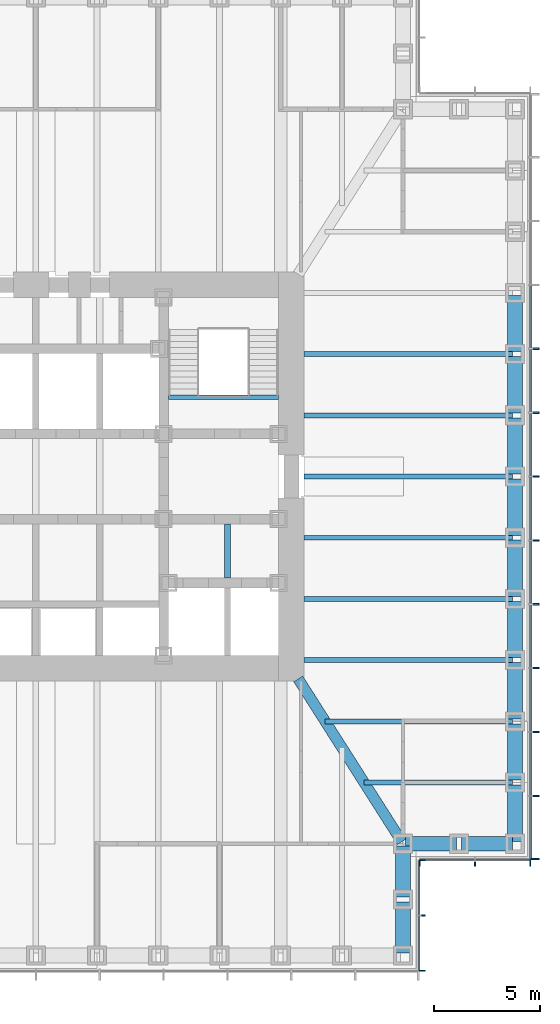
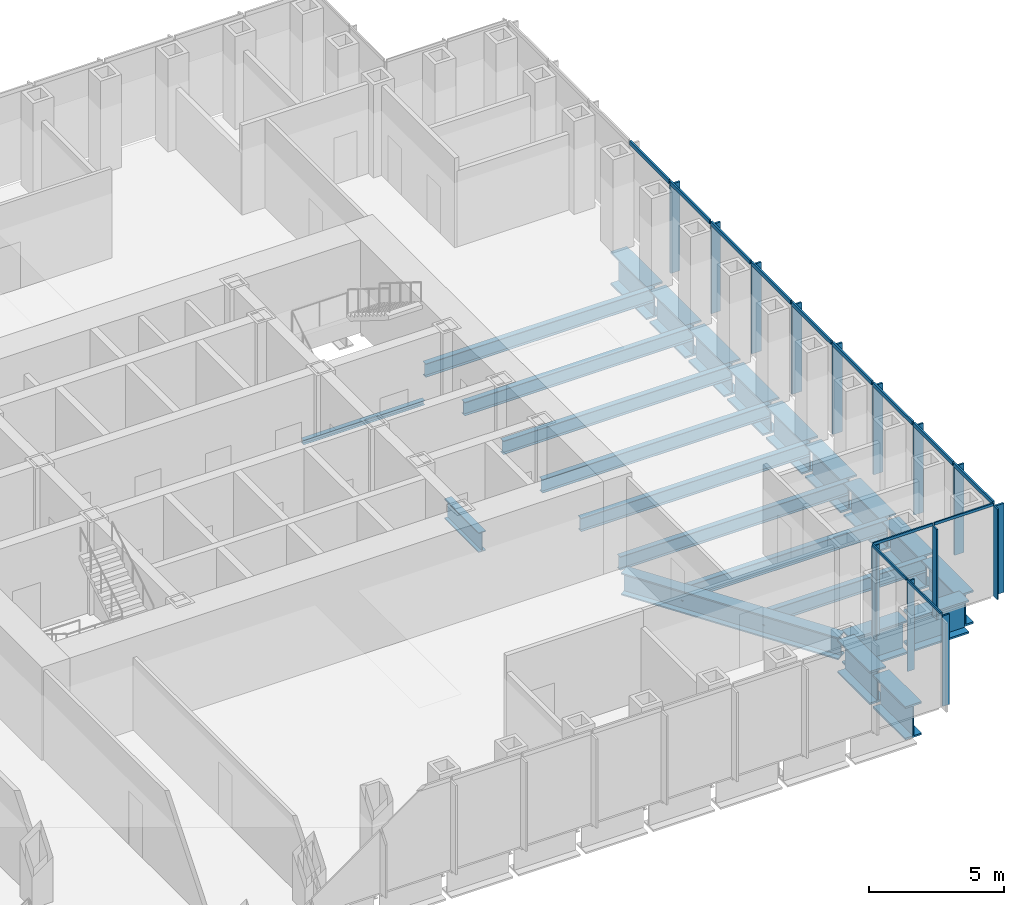
# One storey, part 4 of 17: 28 members, 24 beams, 3 elements without a shape of their own.
"""IFC4 building model written with IfcOpenShell, lengths in metres."""

from ifc_helpers import new_model, si_unit, direction, frame, origin, origin_2d, place, context, subcontext, project, spatial, rectangle, i_section, extrude, material, material_profile, profile_set, type_object, element, aggregate, save


model = new_model("IFC4")

# Units and contexts
model_context = context("Model", 3, precision=1e-05, world=origin(), true_north=direction((0.0, 1.0)))
body_context = subcontext(model_context, "Body", "Model", "MODEL_VIEW")
ifc_project = project(units=[si_unit("LENGTHUNIT", "METRE"), si_unit("AREAUNIT", "SQUARE_METRE"), si_unit("VOLUMEUNIT", "CUBIC_METRE"), si_unit("PLANEANGLEUNIT", "RADIAN"), si_unit("MASSUNIT", "GRAM", prefix="KILO")], contexts=[model_context])

# Site, building, storey
site_placement = place(None, origin())
site = spatial("IfcSite", under=ifc_project, at=site_placement, CompositionType="ELEMENT")
building_placement = place(site_placement, origin())
building = spatial("IfcBuilding", under=site, at=building_placement, Name="Daluyong Arena Tower", CompositionType="ELEMENT")
storey_placement = place(building_placement, frame((0.0, 0.0, 124.89990234375)))
storey = spatial("IfcBuildingStorey", under=building, at=storey_placement, Name="L27", CompositionType="ELEMENT", Elevation=124.89990234375)

# Curtain wall, members
ifc_material_1 = material(Name="Bronze anodised aluminium and glass", Category="aluminium")
curtain_wall_type_1 = type_object("IfcCurtainWallType", Name="Curtain wall CW2", PredefinedType="USERDEFINED", material=ifc_material_1)
curtain_wall_1_placement = place(storey_placement, origin())
curtain_wall_1 = element("IfcCurtainWall", 1, at=curtain_wall_1_placement, inside=storey, type_object=curtain_wall_type_1, Name="curtain wall L27 E", ObjectType="UNITISED CURTAIN WALL", PredefinedType="USERDEFINED")
ifc_material_2 = material(Name="Bronze anodised aluminium fin", Category="aluminium")
ifc_material_profile_1 = material_profile(ifc_material_2, rectangle(XDim=0.39990234375, YDim=0.080078125, at=origin_2d()))
ifc_profile_set_1 = profile_set([ifc_material_profile_1], Name="Bronze anodised aluminium fin")
member_type_1 = type_object("IfcMemberType", Name="CW2 bronze fin 400x80", PredefinedType="MULLION", material=ifc_profile_set_1)
member_1_placement = place(storey_placement, frame((79.449951171875, 62.0400390625, 0.0), z_axis=(0.0, 0.0, 1.0), x_axis=(-1.0, 0.0, 0.0)))
member_1 = element("IfcMember", 2, at=member_1_placement, type_object=member_type_1, Name="curtain wall L27 E fin 1", PredefinedType="MULLION", context=body_context, shape_type="SweptSolid", body=[
    extrude(rectangle(XDim=0.39990234375, YDim=0.080078125, at=origin_2d()), origin(), (0.0, 0.0, 1.0), 4.02001953125),
])
member_2_placement = place(storey_placement, frame((79.449951171875, 65.0, 0.0), z_axis=(0.0, 0.0, 1.0), x_axis=(-1.0, 0.0, 0.0)))
member_2 = element("IfcMember", 3, at=member_2_placement, type_object=member_type_1, Name="curtain wall L27 E fin 2", PredefinedType="MULLION", context=body_context, shape_type="SweptSolid", body=[
    extrude(rectangle(XDim=0.39990234375, YDim=0.080078125, at=origin_2d()), origin(), (0.0, 0.0, 1.0), 4.02001953125),
])
member_3_placement = place(storey_placement, frame((79.449951171875, 68.0, 0.0), z_axis=(0.0, 0.0, 1.0), x_axis=(-1.0, 0.0, 0.0)))
member_3 = element("IfcMember", 4, at=member_3_placement, type_object=member_type_1, Name="curtain wall L27 E fin 3", PredefinedType="MULLION", context=body_context, shape_type="SweptSolid", body=[
    extrude(rectangle(XDim=0.39990234375, YDim=0.080078125, at=origin_2d()), origin(), (0.0, 0.0, 1.0), 4.02001953125),
])
member_4_placement = place(storey_placement, frame((79.449951171875, 71.0, 0.0), z_axis=(0.0, 0.0, 1.0), x_axis=(-1.0, 0.0, 0.0)))
member_4 = element("IfcMember", 5, at=member_4_placement, type_object=member_type_1, Name="curtain wall L27 E fin 4", PredefinedType="MULLION", context=body_context, shape_type="SweptSolid", body=[
    extrude(rectangle(XDim=0.39990234375, YDim=0.080078125, at=origin_2d()), origin(), (0.0, 0.0, 1.0), 4.02001953125),
])
member_5_placement = place(storey_placement, frame((79.449951171875, 74.0, 0.0), z_axis=(0.0, 0.0, 1.0), x_axis=(-1.0, 0.0, 0.0)))
member_5 = element("IfcMember", 6, at=member_5_placement, type_object=member_type_1, Name="curtain wall L27 E fin 5", PredefinedType="MULLION", context=body_context, shape_type="SweptSolid", body=[
    extrude(rectangle(XDim=0.39990234375, YDim=0.080078125, at=origin_2d()), origin(), (0.0, 0.0, 1.0), 4.02001953125),
])
member_6_placement = place(storey_placement, frame((79.449951171875, 77.0, 0.0), z_axis=(0.0, 0.0, 1.0), x_axis=(-1.0, 0.0, 0.0)))
member_6 = element("IfcMember", 7, at=member_6_placement, type_object=member_type_1, Name="curtain wall L27 E fin 6", PredefinedType="MULLION", context=body_context, shape_type="SweptSolid", body=[
    extrude(rectangle(XDim=0.39990234375, YDim=0.080078125, at=origin_2d()), origin(), (0.0, 0.0, 1.0), 4.02001953125),
])
member_7_placement = place(storey_placement, frame((79.449951171875, 80.0, 0.0), z_axis=(0.0, 0.0, 1.0), x_axis=(-1.0, 0.0, 0.0)))
member_7 = element("IfcMember", 8, at=member_7_placement, type_object=member_type_1, Name="curtain wall L27 E fin 7", PredefinedType="MULLION", context=body_context, shape_type="SweptSolid", body=[
    extrude(rectangle(XDim=0.39990234375, YDim=0.080078125, at=origin_2d()), origin(), (0.0, 0.0, 1.0), 4.02001953125),
])
member_8_placement = place(storey_placement, frame((79.449951171875, 83.0, 0.0), z_axis=(0.0, 0.0, 1.0), x_axis=(-1.0, 0.0, 0.0)))
member_8 = element("IfcMember", 9, at=member_8_placement, type_object=member_type_1, Name="curtain wall L27 E fin 8", PredefinedType="MULLION", context=body_context, shape_type="SweptSolid", body=[
    extrude(rectangle(XDim=0.39990234375, YDim=0.080078125, at=origin_2d()), origin(), (0.0, 0.0, 1.0), 4.02001953125),
])
member_9_placement = place(storey_placement, frame((79.449951171875, 86.0, 0.0), z_axis=(0.0, 0.0, 1.0), x_axis=(-1.0, 0.0, 0.0)))
member_9 = element("IfcMember", 10, at=member_9_placement, type_object=member_type_1, Name="curtain wall L27 E fin 9", PredefinedType="MULLION", context=body_context, shape_type="SweptSolid", body=[
    extrude(rectangle(XDim=0.39990234375, YDim=0.080078125, at=origin_2d()), origin(), (0.0, 0.0, 1.0), 4.02001953125),
])
ifc_material_3 = material(Name="Bronze anodised aluminium", Category="aluminium")
ifc_material_profile_2 = material_profile(ifc_material_3, rectangle(XDim=0.080078125, YDim=0.179931640625, at=origin_2d()))
ifc_profile_set_2 = profile_set([ifc_material_profile_2], Name="Bronze anodised aluminium")
member_type_2 = type_object("IfcMemberType", Name="CW2 stack transom 180x80", PredefinedType="USERDEFINED", material=ifc_profile_set_2)
member_10_placement = place(storey_placement, frame((79.25, 62.080078125, 4.110107421875), z_axis=(0.0, 1.0, 0.0), x_axis=(-1.0, 0.0, 0.0)))
member_10 = element("IfcMember", 11, at=member_10_placement, type_object=member_type_2, Name="curtain wall L27 E transom 1", ObjectType="TRANSOM", PredefinedType="USERDEFINED", context=body_context, shape_type="SweptSolid", body=[
    extrude(rectangle(XDim=0.080078125, YDim=0.179931640625, at=origin_2d()), origin(), (0.0, 0.0, 1.0), 2.8798828125),
])
member_11_placement = place(storey_placement, frame((79.25, 65.0400390625, 4.110107421875), z_axis=(0.0, 1.0, 0.0), x_axis=(-1.0, 0.0, 0.0)))
member_11 = element("IfcMember", 12, at=member_11_placement, type_object=member_type_2, Name="curtain wall L27 E transom 2", ObjectType="TRANSOM", PredefinedType="USERDEFINED", context=body_context, shape_type="SweptSolid", body=[
    extrude(rectangle(XDim=0.080078125, YDim=0.179931640625, at=origin_2d()), origin(), (0.0, 0.0, 1.0), 2.919921875),
])
member_12_placement = place(storey_placement, frame((79.25, 68.0400390625, 4.110107421875), z_axis=(0.0, 1.0, 0.0), x_axis=(-1.0, 0.0, 0.0)))
member_12 = element("IfcMember", 13, at=member_12_placement, type_object=member_type_2, Name="curtain wall L27 E transom 3", ObjectType="TRANSOM", PredefinedType="USERDEFINED", context=body_context, shape_type="SweptSolid", body=[
    extrude(rectangle(XDim=0.080078125, YDim=0.179931640625, at=origin_2d()), origin(), (0.0, 0.0, 1.0), 2.919921875),
])
member_13_placement = place(storey_placement, frame((79.25, 71.0400390625, 4.110107421875), z_axis=(0.0, 1.0, 0.0), x_axis=(-1.0, 0.0, 0.0)))
member_13 = element("IfcMember", 14, at=member_13_placement, type_object=member_type_2, Name="curtain wall L27 E transom 4", ObjectType="TRANSOM", PredefinedType="USERDEFINED", context=body_context, shape_type="SweptSolid", body=[
    extrude(rectangle(XDim=0.080078125, YDim=0.179931640625, at=origin_2d()), origin(), (0.0, 0.0, 1.0), 2.919921875),
])
member_14_placement = place(storey_placement, frame((79.25, 74.0400390625, 4.110107421875), z_axis=(0.0, 1.0, 0.0), x_axis=(-1.0, 0.0, 0.0)))
member_14 = element("IfcMember", 15, at=member_14_placement, type_object=member_type_2, Name="curtain wall L27 E transom 5", ObjectType="TRANSOM", PredefinedType="USERDEFINED", context=body_context, shape_type="SweptSolid", body=[
    extrude(rectangle(XDim=0.080078125, YDim=0.179931640625, at=origin_2d()), origin(), (0.0, 0.0, 1.0), 2.919921875),
])
member_15_placement = place(storey_placement, frame((79.25, 77.0400390625, 4.110107421875), z_axis=(0.0, 1.0, 0.0), x_axis=(-1.0, 0.0, 0.0)))
member_15 = element("IfcMember", 16, at=member_15_placement, type_object=member_type_2, Name="curtain wall L27 E transom 6", ObjectType="TRANSOM", PredefinedType="USERDEFINED", context=body_context, shape_type="SweptSolid", body=[
    extrude(rectangle(XDim=0.080078125, YDim=0.179931640625, at=origin_2d()), origin(), (0.0, 0.0, 1.0), 2.919921875),
])
member_16_placement = place(storey_placement, frame((79.25, 80.0400390625, 4.110107421875), z_axis=(0.0, 1.0, 0.0), x_axis=(-1.0, 0.0, 0.0)))
member_16 = element("IfcMember", 17, at=member_16_placement, type_object=member_type_2, Name="curtain wall L27 E transom 7", ObjectType="TRANSOM", PredefinedType="USERDEFINED", context=body_context, shape_type="SweptSolid", body=[
    extrude(rectangle(XDim=0.080078125, YDim=0.179931640625, at=origin_2d()), origin(), (0.0, 0.0, 1.0), 2.919921875),
])
member_17_placement = place(storey_placement, frame((79.25, 83.0400390625, 4.110107421875), z_axis=(0.0, 1.0, 0.0), x_axis=(-1.0, 0.0, 0.0)))
member_17 = element("IfcMember", 18, at=member_17_placement, type_object=member_type_2, Name="curtain wall L27 E transom 8", ObjectType="TRANSOM", PredefinedType="USERDEFINED", context=body_context, shape_type="SweptSolid", body=[
    extrude(rectangle(XDim=0.080078125, YDim=0.179931640625, at=origin_2d()), origin(), (0.0, 0.0, 1.0), 2.919921875),
])
member_18_placement = place(storey_placement, frame((79.25, 86.0400390625, 4.110107421875), z_axis=(0.0, 1.0, 0.0), x_axis=(-1.0, 0.0, 0.0)))
member_18 = element("IfcMember", 19, at=member_18_placement, type_object=member_type_2, Name="curtain wall L27 E transom 9", ObjectType="TRANSOM", PredefinedType="USERDEFINED", context=body_context, shape_type="SweptSolid", body=[
    extrude(rectangle(XDim=0.080078125, YDim=0.179931640625, at=origin_2d()), origin(), (0.0, 0.0, 1.0), 2.919921875),
])
aggregate(curtain_wall_1, [member_1, member_2, member_3, member_4, member_5, member_6, member_7, member_8, member_9, member_10, member_11, member_12, member_13, member_14, member_15, member_16, member_17, member_18])

ifc_material_4 = material(Name="Bronze anodised aluminium and glass", Category="aluminium")
curtain_wall_type_2 = type_object("IfcCurtainWallType", Name="Curtain wall CW7", PredefinedType="USERDEFINED", material=ifc_material_4)
curtain_wall_2_placement = place(storey_placement, origin())
curtain_wall_2 = element("IfcCurtainWall", 20, at=curtain_wall_2_placement, inside=storey, type_object=curtain_wall_type_2, Name="curtain wall L27 SE-E", ObjectType="UNITISED CURTAIN WALL", PredefinedType="USERDEFINED")
ifc_material_5 = material(Name="Bronze anodised aluminium fin", Category="aluminium")
ifc_material_profile_3 = material_profile(ifc_material_5, rectangle(XDim=0.300048828125, YDim=0.06005859375, at=origin_2d()))
ifc_profile_set_3 = profile_set([ifc_material_profile_3], Name="Bronze anodised aluminium fin")
member_type_3 = type_object("IfcMemberType", Name="CW7 bronze fin 300x60", PredefinedType="MULLION", material=ifc_profile_set_3)
member_19_placement = place(storey_placement, frame((74.14990234375, 56.780029296875, 0.0), z_axis=(0.0, 0.0, 1.0), x_axis=(-1.0, 0.0, 0.0)))
member_19 = element("IfcMember", 21, at=member_19_placement, type_object=member_type_3, Name="curtain wall L27 SE-E fin 1", PredefinedType="MULLION", context=body_context, shape_type="SweptSolid", body=[
    extrude(rectangle(XDim=0.300048828125, YDim=0.06005859375, at=origin_2d()), origin(), (0.0, 0.0, 1.0), 4.080078125),
])
member_20_placement = place(storey_placement, frame((74.14990234375, 59.375, 0.0), z_axis=(0.0, 0.0, 1.0), x_axis=(-1.0, 0.0, 0.0)))
member_20 = element("IfcMember", 22, at=member_20_placement, type_object=member_type_3, Name="curtain wall L27 SE-E fin 2", PredefinedType="MULLION", context=body_context, shape_type="SweptSolid", body=[
    extrude(rectangle(XDim=0.300048828125, YDim=0.06005859375, at=origin_2d()), origin(), (0.0, 0.0, 1.0), 4.080078125),
])
member_21_placement = place(storey_placement, frame((74.14990234375, 61.969970703125, 0.0), z_axis=(0.0, 0.0, 1.0), x_axis=(-1.0, 0.0, 0.0)))
member_21 = element("IfcMember", 23, at=member_21_placement, type_object=member_type_3, Name="curtain wall L27 SE-E fin 3", PredefinedType="MULLION", context=body_context, shape_type="SweptSolid", body=[
    extrude(rectangle(XDim=0.300048828125, YDim=0.06005859375, at=origin_2d()), origin(), (0.0, 0.0, 1.0), 4.080078125),
])

curtain_wall_3_placement = place(storey_placement, origin())
curtain_wall_3 = element("IfcCurtainWall", 24, at=curtain_wall_3_placement, inside=storey, type_object=curtain_wall_type_2, Name="curtain wall L27 SE-S", ObjectType="UNITISED CURTAIN WALL", PredefinedType="USERDEFINED")
member_22_placement = place(storey_placement, frame((74.030029296875, 61.85009765625, 0.0), z_axis=(0.0, 0.0, 1.0), x_axis=(0.0, 1.0, 0.0)))
member_22 = element("IfcMember", 25, at=member_22_placement, type_object=member_type_3, Name="curtain wall L27 SE-S fin 1", PredefinedType="MULLION", context=body_context, shape_type="SweptSolid", body=[
    extrude(rectangle(XDim=0.300048828125, YDim=0.06005859375, at=origin_2d()), origin(), (0.0, 0.0, 1.0), 4.080078125),
])
member_23_placement = place(storey_placement, frame((76.625, 61.85009765625, 0.0), z_axis=(0.0, 0.0, 1.0), x_axis=(0.0, 1.0, 0.0)))
member_23 = element("IfcMember", 26, at=member_23_placement, type_object=member_type_3, Name="curtain wall L27 SE-S fin 2", PredefinedType="MULLION", context=body_context, shape_type="SweptSolid", body=[
    extrude(rectangle(XDim=0.300048828125, YDim=0.06005859375, at=origin_2d()), origin(), (0.0, 0.0, 1.0), 4.080078125),
])
member_24_placement = place(storey_placement, frame((79.219970703125, 61.85009765625, 0.0), z_axis=(0.0, 0.0, 1.0), x_axis=(0.0, 1.0, 0.0)))
member_24 = element("IfcMember", 27, at=member_24_placement, type_object=member_type_3, Name="curtain wall L27 SE-S fin 3", PredefinedType="MULLION", context=body_context, shape_type="SweptSolid", body=[
    extrude(rectangle(XDim=0.300048828125, YDim=0.06005859375, at=origin_2d()), origin(), (0.0, 0.0, 1.0), 4.080078125),
])

# Member
ifc_material_6 = material(Name="Bronze anodised aluminium", Category="aluminium")
ifc_material_profile_4 = material_profile(ifc_material_6, rectangle(XDim=0.06005859375, YDim=0.1201171875, at=origin_2d()))
ifc_profile_set_4 = profile_set([ifc_material_profile_4], Name="Bronze anodised aluminium")
member_type_4 = type_object("IfcMemberType", Name="CW7 stack transom 120x60", PredefinedType="USERDEFINED", material=ifc_profile_set_4)
member_25_placement = place(storey_placement, frame((74.0, 56.81005859375, 4.14013671875), z_axis=(0.0, 1.0, 0.0), x_axis=(-1.0, 0.0, 0.0)))
member_25 = element("IfcMember", 28, at=member_25_placement, type_object=member_type_4, Name="curtain wall L27 SE-E transom 1", ObjectType="TRANSOM", PredefinedType="USERDEFINED", context=body_context, shape_type="SweptSolid", body=[
    extrude(rectangle(XDim=0.06005859375, YDim=0.1201171875, at=origin_2d()), origin(), (0.0, 0.0, 1.0), 2.534912109375),
])

member_26_placement = place(storey_placement, frame((74.0, 59.405029296875, 4.14013671875), z_axis=(0.0, 1.0, 0.0), x_axis=(-1.0, 0.0, 0.0)))
member_26 = element("IfcMember", 29, at=member_26_placement, type_object=member_type_4, Name="curtain wall L27 SE-E transom 2", ObjectType="TRANSOM", PredefinedType="USERDEFINED", context=body_context, shape_type="SweptSolid", body=[
    extrude(rectangle(XDim=0.06005859375, YDim=0.1201171875, at=origin_2d()), origin(), (0.0, 0.0, 1.0), 2.534912109375),
])

aggregate(curtain_wall_2, [member_19, member_20, member_21, member_25, member_26])

member_27_placement = place(storey_placement, frame((74.06005859375, 62.0, 4.14013671875), z_axis=(1.0, 0.0, 0.0), x_axis=(0.0, 1.0, 0.0)))
member_27 = element("IfcMember", 30, at=member_27_placement, type_object=member_type_4, Name="curtain wall L27 SE-S transom 1", ObjectType="TRANSOM", PredefinedType="USERDEFINED", context=body_context, shape_type="SweptSolid", body=[
    extrude(rectangle(XDim=0.06005859375, YDim=0.1201171875, at=origin_2d()), origin(), (0.0, 0.0, 1.0), 2.534912109375),
])

member_28_placement = place(storey_placement, frame((76.655029296875, 62.0, 4.14013671875), z_axis=(1.0, 0.0, 0.0), x_axis=(0.0, 1.0, 0.0)))
member_28 = element("IfcMember", 31, at=member_28_placement, type_object=member_type_4, Name="curtain wall L27 SE-S transom 2", ObjectType="TRANSOM", PredefinedType="USERDEFINED", context=body_context, shape_type="SweptSolid", body=[
    extrude(rectangle(XDim=0.06005859375, YDim=0.1201171875, at=origin_2d()), origin(), (0.0, 0.0, 1.0), 2.534912109375),
])

aggregate(curtain_wall_3, [member_22, member_23, member_24, member_27, member_28])

# Beams
ifc_material_7 = material(Name="Steel ASTM A572 Grade 50", Category="steel")
ifc_material_profile_5 = material_profile(ifc_material_7, i_section(OverallWidth=0.5, OverallDepth=1.0, WebThickness=0.03, FlangeThickness=0.06, at=origin_2d()))
ifc_profile_set_5 = profile_set([ifc_material_profile_5], Name="Steel ASTM A572 Grade 50")
beam_type_1 = type_object("IfcBeamType", Name="Corner girder TB1000X500", PredefinedType="BEAM", material=ifc_profile_set_5)
beam_1_placement = place(storey_placement, frame((73.188232421875, 62.846923828125, -0.659912109375), z_axis=(-0.536872006459, 0.843663705916, 0.0), x_axis=(-0.843663705916, -0.536872006459, 0.0)))
element("IfcBeam", 32, at=beam_1_placement, inside=storey, type_object=beam_type_1, Name="corner girder DG2", PredefinedType="BEAM", context=body_context, shape_type="SweptSolid", body=[
    extrude(i_section(OverallWidth=0.5, OverallDepth=1.0, WebThickness=0.03, FlangeThickness=0.06, at=origin_2d()), origin(), (0.0, 0.0, 1.0), 9.06396484375),
])
ifc_material_8 = material(Name="Steel ASTM A992 Grade 50", Category="steel")
ifc_material_profile_6 = material_profile(ifc_material_8, i_section(OverallWidth=0.22900390625, OverallDepth=0.612060546875, WebThickness=0.011962890625, FlangeThickness=0.01953125, at=origin_2d()))
ifc_profile_set_6 = profile_set([ifc_material_profile_6], Name="Steel ASTM A992 Grade 50")
beam_type_2 = type_object("IfcBeamType", Name="Floor beam W24X84", PredefinedType="BEAM", material=ifc_profile_set_6)
beam_2_placement = place(storey_placement, frame((78.385009765625, 65.625, -0.466064453125), z_axis=(-1.0, 0.0, 0.0), x_axis=(0.0, -1.0, 0.0)))
element("IfcBeam", 33, at=beam_2_placement, inside=storey, type_object=beam_type_2, Name="floor beam FB3", PredefinedType="BEAM", context=body_context, shape_type="SweptSolid", body=[
    extrude(i_section(OverallWidth=0.22900390625, OverallDepth=0.612060546875, WebThickness=0.011962890625, FlangeThickness=0.01953125, at=origin_2d()), origin(), (0.0, 0.0, 1.0), 6.964599609375),
])
beam_3_placement = place(storey_placement, frame((78.385009765625, 68.5, -0.466064453125), z_axis=(-1.0, 0.0, 0.0), x_axis=(0.0, -1.0, 0.0)))
element("IfcBeam", 34, at=beam_3_placement, inside=storey, type_object=beam_type_2, Name="floor beam FB3", PredefinedType="BEAM", context=body_context, shape_type="SweptSolid", body=[
    extrude(i_section(OverallWidth=0.22900390625, OverallDepth=0.612060546875, WebThickness=0.011962890625, FlangeThickness=0.01953125, at=origin_2d()), origin(), (0.0, 0.0, 1.0), 8.794189453125),
])
for number, where, z_axis, x_axis, name in (
    (35, (78.385009765625, 71.375, -0.466064453125), (-1.0, 0.0, 0.0), (0.0, -1.0, 0.0), "floor beam FB3"),
    (36, (78.385009765625, 74.25, -0.466064453125), (-1.0, 0.0, 0.0), (0.0, -1.0, 0.0), "floor beam FB3"),
    (37, (78.385009765625, 77.125, -0.466064453125), (-1.0, 0.0, 0.0), (0.0, -1.0, 0.0), "floor beam FB3"),
    (38, (78.385009765625, 80.0, -0.466064453125), (-1.0, 0.0, 0.0), (0.0, -1.0, 0.0), "floor beam FB3"),
    (39, (78.385009765625, 82.875, -0.466064453125), (-1.0, 0.0, 0.0), (0.0, -1.0, 0.0), "floor beam FB3"),
    (40, (78.385009765625, 85.75, -0.466064453125), (-1.0, 0.0, 0.0), (0.0, -1.0, 0.0), "floor beam FB3"),
):
    element("IfcBeam", number, at=place(storey_placement, frame(where, z_axis=z_axis, x_axis=x_axis)), inside=storey, type_object=beam_type_2, Name=name, PredefinedType="BEAM", context=body_context, shape_type="SweptSolid", body=[
        extrude(i_section(OverallWidth=0.22900390625, OverallDepth=0.612060546875, WebThickness=0.011962890625, FlangeThickness=0.01953125, at=origin_2d()), origin(), (0.0, 0.0, 1.0), 9.784912109375),
    ])
ifc_material_9 = material(Name="Steel ASTM A572 Grade 50", Category="steel")
ifc_material_profile_7 = material_profile(ifc_material_9, i_section(OverallWidth=0.300048828125, OverallDepth=0.89990234375, WebThickness=0.025, FlangeThickness=0.04, at=origin_2d()))
ifc_profile_set_7 = profile_set([ifc_material_profile_7], Name="Steel ASTM A572 Grade 50")
beam_type_3 = type_object("IfcBeamType", Name="Lift divider beam PG900X300", PredefinedType="BEAM", material=ifc_profile_set_7)
beam_4_placement = place(storey_placement, frame((65.0, 75.22509765625, -0.60986328125), z_axis=(0.0, 1.0, 0.0), x_axis=(-1.0, 0.0, 0.0)))
element("IfcBeam", 41, at=beam_4_placement, inside=storey, type_object=beam_type_3, Name="lift divider beam DB1", PredefinedType="BEAM", context=body_context, shape_type="SweptSolid", body=[
    extrude(i_section(OverallWidth=0.300048828125, OverallDepth=0.89990234375, WebThickness=0.025, FlangeThickness=0.04, at=origin_2d()), origin(), (0.0, 0.0, 1.0), 2.5498046875),
])
ifc_material_10 = material(Name="Steel ASTM A572 Grade 50", Category="steel")
ifc_material_profile_8 = material_profile(ifc_material_10, i_section(OverallWidth=0.699951171875, OverallDepth=1.5, WebThickness=0.04, FlangeThickness=0.08, at=origin_2d()))
ifc_profile_set_8 = profile_set([ifc_material_profile_8], Name="Steel ASTM A572 Grade 50")
beam_type_4 = type_object("IfcBeamType", Name="Spandrel Z2 PG1500X700", PredefinedType="SPANDREL", material=ifc_profile_set_8)
for number, where, z_axis, x_axis, name in (
    (42, (73.25, 57.614990234375, -0.909912109375), (0.0, 1.0, 0.0), (-1.0, 0.0, 0.0), "spandrel z2 SB6"),
    (43, (73.25, 60.239990234375, -0.909912109375), (0.0, 1.0, 0.0), (-1.0, 0.0, 0.0), "spandrel z2 SB6"),
    (44, (73.364990234375, 62.75, -0.909912109375), (1.0, 0.0, 0.0), (0.0, 1.0, 0.0), "spandrel z2 SB6"),
    (45, (75.989990234375, 62.75, -0.909912109375), (1.0, 0.0, 0.0), (0.0, 1.0, 0.0), "spandrel z2 SB6"),
):
    element("IfcBeam", number, at=place(storey_placement, frame(where, z_axis=z_axis, x_axis=x_axis)), inside=storey, type_object=beam_type_4, Name=name, PredefinedType="SPANDREL", context=body_context, shape_type="SweptSolid", body=[
        extrude(i_section(OverallWidth=0.699951171875, OverallDepth=1.5, WebThickness=0.04, FlangeThickness=0.08, at=origin_2d()), origin(), (0.0, 0.0, 1.0), 2.39501953125),
    ])
for number, where, z_axis, x_axis, name in (
    (46, (78.5, 62.864990234375, -0.909912109375), (0.0, 1.0, 0.0), (-1.0, 0.0, 0.0), "spandrel z2 SB6"),
    (47, (78.5, 65.739990234375, -0.909912109375), (0.0, 1.0, 0.0), (-1.0, 0.0, 0.0), "spandrel z2 SB6"),
    (48, (78.5, 68.614990234375, -0.909912109375), (0.0, 1.0, 0.0), (-1.0, 0.0, 0.0), "spandrel z2 SB6"),
    (49, (78.5, 71.489990234375, -0.909912109375), (0.0, 1.0, 0.0), (-1.0, 0.0, 0.0), "spandrel z2 SB6"),
    (50, (78.5, 74.364990234375, -0.909912109375), (0.0, 1.0, 0.0), (-1.0, 0.0, 0.0), "spandrel z2 SB6"),
    (51, (78.5, 77.239990234375, -0.909912109375), (0.0, 1.0, 0.0), (-1.0, 0.0, 0.0), "spandrel z2 SB6"),
    (52, (78.5, 80.114990234375, -0.909912109375), (0.0, 1.0, 0.0), (-1.0, 0.0, 0.0), "spandrel z2 SB6"),
    (53, (78.5, 82.989990234375, -0.909912109375), (0.0, 1.0, 0.0), (-1.0, 0.0, 0.0), "spandrel z2 SB6"),
    (54, (78.5, 85.864990234375, -0.909912109375), (0.0, 1.0, 0.0), (-1.0, 0.0, 0.0), "spandrel z2 SB6"),
):
    element("IfcBeam", number, at=place(storey_placement, frame(where, z_axis=z_axis, x_axis=x_axis)), inside=storey, type_object=beam_type_4, Name=name, PredefinedType="SPANDREL", context=body_context, shape_type="SweptSolid", body=[
        extrude(i_section(OverallWidth=0.699951171875, OverallDepth=1.5, WebThickness=0.04, FlangeThickness=0.08, at=origin_2d()), origin(), (0.0, 0.0, 1.0), 2.64501953125),
    ])
ifc_material_11 = material(Name="Steel ASTM A992 Grade 50", Category="steel")
ifc_material_profile_9 = material_profile(ifc_material_11, i_section(OverallWidth=0.203125, OverallDepth=0.203125, WebThickness=0.00732421875, FlangeThickness=0.010986328125, at=origin_2d()))
ifc_profile_set_9 = profile_set([ifc_material_profile_9], Name="Steel ASTM A992 Grade 50")
beam_type_5 = type_object("IfcBeamType", Name="Stair landing beam W8X31", PredefinedType="BEAM", material=ifc_profile_set_9)
beam_5_placement = place(storey_placement, frame((62.22509765625, 83.723388671875, -0.261474609375), z_axis=(1.0, 0.0, 0.0), x_axis=(0.0, 1.0, 0.0)))
element("IfcBeam", 55, at=beam_5_placement, inside=storey, type_object=beam_type_5, Name="exit stair B landing beam", PredefinedType="BEAM", context=body_context, shape_type="SweptSolid", body=[
    extrude(i_section(OverallWidth=0.203125, OverallDepth=0.203125, WebThickness=0.00732421875, FlangeThickness=0.010986328125, at=origin_2d()), origin(), (0.0, 0.0, 1.0), 5.1748046875),
])

save(model, "model.ifc")
